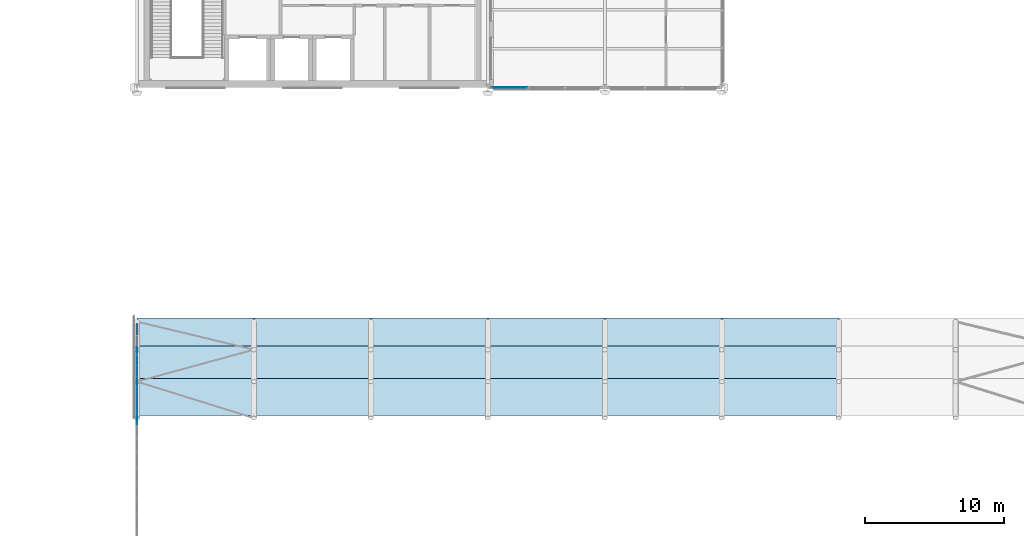
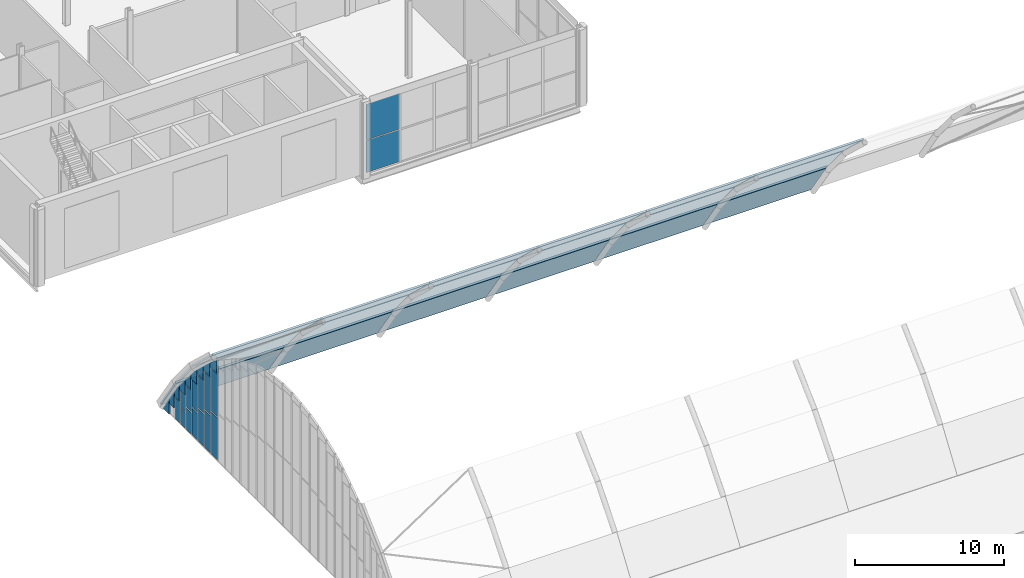
# One storey, part 56 of 77: 24 plates, 18 slabs, 2 elements without a shape of their own.
"""IFC4 building model written with IfcOpenShell, lengths in metres."""

from ifc_helpers import new_model, si_unit, direction, frame, origin, origin_2d, place, context, subcontext, project, spatial, polyline, rectangle, outline, extrude, material, layer, layer_set, type_object, element, aggregate, save


model = new_model("IFC4")

# Units and contexts
model_context = context("Model", 3, precision=1e-05, world=origin(), true_north=direction((0.0, 1.0)))
body_context = subcontext(model_context, "Body", "Model", "MODEL_VIEW")
ifc_project = project(units=[si_unit("LENGTHUNIT", "METRE"), si_unit("AREAUNIT", "SQUARE_METRE"), si_unit("VOLUMEUNIT", "CUBIC_METRE"), si_unit("PLANEANGLEUNIT", "RADIAN"), si_unit("MASSUNIT", "GRAM", prefix="KILO")], contexts=[model_context])

# Site, building, storey
site_placement = place(None, origin())
site = spatial("IfcSite", under=ifc_project, at=site_placement, CompositionType="ELEMENT")
building_placement = place(site_placement, origin())
building = spatial("IfcBuilding", under=site, at=building_placement, Name="Catenary Quay Ferry Terminal", CompositionType="ELEMENT")
storey_placement = place(building_placement, frame((0.0, 0.0, 10.800048828125)))
storey = spatial("IfcBuildingStorey", under=building, at=storey_placement, Name="L02", CompositionType="ELEMENT", Elevation=10.800048828125)

# Curtain wall, plates
ifc_material_1 = material(Name="Aluminium and glass", Category="aluminium")
curtain_wall_type_1 = type_object("IfcCurtainWallType", Name="CWA", PredefinedType="NOTDEFINED", material=ifc_material_1)
curtain_wall_1_placement = place(storey_placement, origin())
curtain_wall_1 = element("IfcCurtainWall", 1, at=curtain_wall_1_placement, inside=storey, type_object=curtain_wall_type_1, Name="Arch departure hall curtain wall CW17", PredefinedType="NOTDEFINED")
ifc_material_2 = material(Name="Glass", Category="glass")
ifc_layer_1 = layer(ifc_material_2, 0.035888671875)
ifc_layer_set_1 = layer_set([ifc_layer_1], Name="PN4")
plate_type_1 = type_object("IfcPlateType", Name="PN4", PredefinedType="CURTAIN_PANEL", material=ifc_layer_set_1)
plate_1_placement = place(storey_placement, frame((25.199951171875, 135.843505859375, 0.099853515625), z_axis=(0.0, 0.0, 1.0), x_axis=(0.0, 1.0, 0.0)))
plate_1 = element("IfcPlate", 2, at=plate_1_placement, type_object=plate_type_1, Name="CW17 panel 26.1", PredefinedType="CURTAIN_PANEL", context=body_context, shape_type="SweptSolid", body=[
    extrude(rectangle(XDim=0.873779296875, YDim=0.035888671875, at=origin_2d()), origin(), (0.0, 0.0, 1.0), 3.46044921875),
])
plate_2_placement = place(storey_placement, frame((25.199951171875, 135.843505859375, 3.660400390625), z_axis=(0.0, 0.0, 1.0), x_axis=(0.0, 1.0, 0.0)))
plate_2 = element("IfcPlate", 3, at=plate_2_placement, type_object=plate_type_1, Name="CW17 panel 26.2", PredefinedType="CURTAIN_PANEL", context=body_context, shape_type="SweptSolid", body=[
    extrude(rectangle(XDim=0.873779296875, YDim=0.035888671875, at=origin_2d()), origin(), (0.0, 0.0, 1.0), 3.46044921875),
])
plate_3_placement = place(storey_placement, frame((25.199951171875, 136.7470703125, 0.099853515625), z_axis=(0.0, 0.0, 1.0), x_axis=(0.0, 1.0, 0.0)))
plate_3 = element("IfcPlate", 4, at=plate_3_placement, type_object=plate_type_1, Name="CW17 panel 27.1", PredefinedType="CURTAIN_PANEL", context=body_context, shape_type="SweptSolid", body=[
    extrude(rectangle(XDim=0.81298828125, YDim=0.035888671875, at=origin_2d()), origin(), (0.0, 0.0, 1.0), 3.05126953125),
])
plate_4_placement = place(storey_placement, frame((25.199951171875, 136.7470703125, 3.251220703125), z_axis=(0.0, 0.0, 1.0), x_axis=(0.0, 1.0, 0.0)))
plate_4 = element("IfcPlate", 5, at=plate_4_placement, type_object=plate_type_1, Name="CW17 panel 27.2", PredefinedType="CURTAIN_PANEL", context=body_context, shape_type="SweptSolid", body=[
    extrude(rectangle(XDim=0.81298828125, YDim=0.035888671875, at=origin_2d()), origin(), (0.0, 0.0, 1.0), 3.05126953125),
])
plate_5_placement = place(storey_placement, frame((25.199951171875, 137.6201171875, 0.099853515625), z_axis=(0.0, 0.0, 1.0), x_axis=(0.0, 1.0, 0.0)))
plate_5 = element("IfcPlate", 6, at=plate_5_placement, type_object=plate_type_1, Name="CW17 panel 28.1", PredefinedType="CURTAIN_PANEL", context=body_context, shape_type="SweptSolid", body=[
    extrude(rectangle(XDim=0.81298828125, YDim=0.035888671875, at=origin_2d()), origin(), (0.0, 0.0, 1.0), 2.64208984375),
])
plate_6_placement = place(storey_placement, frame((25.199951171875, 137.6201171875, 2.842041015625), z_axis=(0.0, 0.0, 1.0), x_axis=(0.0, 1.0, 0.0)))
plate_6 = element("IfcPlate", 7, at=plate_6_placement, type_object=plate_type_1, Name="CW17 panel 28.2", PredefinedType="CURTAIN_PANEL", context=body_context, shape_type="SweptSolid", body=[
    extrude(rectangle(XDim=0.81298828125, YDim=0.035888671875, at=origin_2d()), origin(), (0.0, 0.0, 1.0), 2.64208984375),
])
plate_7_placement = place(storey_placement, frame((25.199951171875, 138.4658203125, 0.10009765625), z_axis=(0.0, 0.0, 1.0), x_axis=(0.0, 1.0, 0.0)))
plate_7 = element("IfcPlate", 8, at=plate_7_placement, type_object=plate_type_1, Name="CW17 panel 29.1", PredefinedType="CURTAIN_PANEL", context=body_context, shape_type="SweptSolid", body=[
    extrude(rectangle(XDim=0.758544921875, YDim=0.035888671875, at=origin_2d()), origin(), (0.0, 0.0, 1.0), 2.207275390625),
])
plate_8_placement = place(storey_placement, frame((25.199951171875, 138.4658203125, 2.4072265625), z_axis=(0.0, 0.0, 1.0), x_axis=(0.0, 1.0, 0.0)))
plate_8 = element("IfcPlate", 9, at=plate_8_placement, type_object=plate_type_1, Name="CW17 panel 29.2", PredefinedType="CURTAIN_PANEL", context=body_context, shape_type="SweptSolid", body=[
    extrude(rectangle(XDim=0.758544921875, YDim=0.035888671875, at=origin_2d()), origin(), (0.0, 0.0, 1.0), 2.207275390625),
])
plate_9_placement = place(storey_placement, frame((25.199951171875, 139.257080078125, 0.099853515625), z_axis=(0.0, 0.0, 1.0), x_axis=(0.0, 1.0, 0.0)))
plate_9 = element("IfcPlate", 10, at=plate_9_placement, type_object=plate_type_1, Name="CW17 panel 30.1", PredefinedType="CURTAIN_PANEL", context=body_context, shape_type="SweptSolid", body=[
    extrude(rectangle(XDim=0.7041015625, YDim=0.035888671875, at=origin_2d()), origin(), (0.0, 0.0, 1.0), 1.74658203125),
])
plate_10_placement = place(storey_placement, frame((25.199951171875, 139.257080078125, 1.9462890625), z_axis=(0.0, 0.0, 1.0), x_axis=(0.0, 1.0, 0.0)))
plate_10 = element("IfcPlate", 11, at=plate_10_placement, type_object=plate_type_1, Name="CW17 panel 30.2", PredefinedType="CURTAIN_PANEL", context=body_context, shape_type="SweptSolid", body=[
    extrude(rectangle(XDim=0.7041015625, YDim=0.035888671875, at=origin_2d()), origin(), (0.0, 0.0, 1.0), 1.74658203125),
])
plate_11_placement = place(storey_placement, frame((25.199951171875, 140.02099609375, 0.10009765625), z_axis=(0.0, 0.0, 1.0), x_axis=(0.0, 1.0, 0.0)))
plate_11 = element("IfcPlate", 12, at=plate_11_placement, type_object=plate_type_1, Name="CW17 panel 31.1", PredefinedType="CURTAIN_PANEL", context=body_context, shape_type="SweptSolid", body=[
    extrude(rectangle(XDim=0.7041015625, YDim=0.035888671875, at=origin_2d()), origin(), (0.0, 0.0, 1.0), 1.285888671875),
])
plate_12_placement = place(storey_placement, frame((25.199951171875, 140.02099609375, 1.48583984375), z_axis=(0.0, 0.0, 1.0), x_axis=(0.0, 1.0, 0.0)))
plate_12 = element("IfcPlate", 13, at=plate_12_placement, type_object=plate_type_1, Name="CW17 panel 31.2", PredefinedType="CURTAIN_PANEL", context=body_context, shape_type="SweptSolid", body=[
    extrude(rectangle(XDim=0.7041015625, YDim=0.035888671875, at=origin_2d()), origin(), (0.0, 0.0, 1.0), 1.285888671875),
])
plate_13_placement = place(storey_placement, frame((25.199951171875, 140.761962890625, 0.099853515625), z_axis=(0.0, 0.0, 1.0), x_axis=(0.0, 1.0, 0.0)))
plate_13 = element("IfcPlate", 14, at=plate_13_placement, type_object=plate_type_1, Name="CW17 panel 32.1", PredefinedType="CURTAIN_PANEL", context=body_context, shape_type="SweptSolid", body=[
    extrude(rectangle(XDim=0.65771484375, YDim=0.035888671875, at=origin_2d()), origin(), (0.0, 0.0, 1.0), 1.7158203125),
])

ifc_material_3 = material(Name="Aluminium and glass", Category="aluminium")
curtain_wall_type_2 = type_object("IfcCurtainWallType", Name="CWW2", PredefinedType="NOTDEFINED", material=ifc_material_3)
curtain_wall_2_placement = place(storey_placement, origin())
curtain_wall_2 = element("IfcCurtainWall", 15, at=curtain_wall_2_placement, inside=storey, type_object=curtain_wall_type_2, Name="Wing curtain wall CW142", PredefinedType="NOTDEFINED")
plate_14_placement = place(storey_placement, frame((51.950927734375, 159.60009765625, 0.06005859375), z_axis=(0.0, 0.0, 1.0), x_axis=(1.0, 0.0, 0.0)))
plate_14 = element("IfcPlate", 16, at=plate_14_placement, type_object=plate_type_1, Name="CW142 panel 1.1", PredefinedType="CURTAIN_PANEL", context=body_context, shape_type="SweptSolid", body=[
    extrude(rectangle(XDim=2.561767578125, YDim=0.035888671875, at=origin_2d()), origin(), (0.0, 0.0, 1.0), 2.610107421875),
])
plate_15_placement = place(storey_placement, frame((51.950927734375, 159.60009765625, 2.72998046875), z_axis=(0.0, 0.0, 1.0), x_axis=(1.0, 0.0, 0.0)))
plate_15 = element("IfcPlate", 17, at=plate_15_placement, type_object=plate_type_1, Name="CW142 panel 1.2", PredefinedType="CURTAIN_PANEL", context=body_context, shape_type="SweptSolid", body=[
    extrude(rectangle(XDim=2.561767578125, YDim=0.035888671875, at=origin_2d()), origin(), (0.0, 0.0, 1.0), 2.909912109375),
])
aggregate(curtain_wall_2, [plate_14, plate_15])

# Plate
ifc_material_4 = material(Name="Ceramic tile facing on insulated backing")
ifc_layer_2 = layer(ifc_material_4, 0.14990234375)
ifc_layer_set_2 = layer_set([ifc_layer_2], Name="PN7")
plate_type_2 = type_object("IfcPlateType", Name="PN7", PredefinedType="CURTAIN_PANEL", material=ifc_layer_set_2)
plate_16_placement = place(storey_placement, frame((25.199951171875, 135.40673828125, 7.220703125), z_axis=(0.0, 0.0, 1.0), x_axis=(0.0, 1.0, 0.0)))
plate_16 = element("IfcPlate", 18, at=plate_16_placement, type_object=plate_type_2, Name="CW17 spandrel panel 29", PredefinedType="CURTAIN_PANEL", context=body_context, shape_type="SweptSolid", body=[
    extrude(outline(polyline([(0.0, 0.0), (0.873779296875, 0.0), (0.873779296875, 0.3681640625), (0.0, 1.06201171875), (0.0, 0.0)])), frame((0.0, 0.074951171875, 0.0), z_axis=(0.0, -1.0, 0.0), x_axis=(1.0, 0.0, 0.0)), (0.0, 0.0, 1.0), 0.14990234375),
])

plate_17_placement = place(storey_placement, frame((25.199951171875, 136.340576171875, 6.40234375), z_axis=(0.0, 0.0, 1.0), x_axis=(0.0, 1.0, 0.0)))
plate_17 = element("IfcPlate", 19, at=plate_17_placement, type_object=plate_type_2, Name="CW17 spandrel panel 30", PredefinedType="CURTAIN_PANEL", context=body_context, shape_type="SweptSolid", body=[
    extrude(outline(polyline([(0.0, 0.0), (0.81298828125, 0.0), (0.81298828125, 0.3681640625), (0.0, 1.13037109375), (0.0, 0.0)])), frame((0.0, 0.074951171875, 0.0), z_axis=(0.0, -1.0, 0.0), x_axis=(1.0, 0.0, 0.0)), (0.0, 0.0, 1.0), 0.14990234375),
])

plate_18_placement = place(storey_placement, frame((25.199951171875, 137.21337890625, 5.584228515625), z_axis=(0.0, 0.0, 1.0), x_axis=(0.0, 1.0, 0.0)))
plate_18 = element("IfcPlate", 20, at=plate_18_placement, type_object=plate_type_2, Name="CW17 spandrel panel 31", PredefinedType="CURTAIN_PANEL", context=body_context, shape_type="SweptSolid", body=[
    extrude(outline(polyline([(0.0, 0.0), (0.81298828125, 0.0), (0.81298828125, 0.367919921875), (0.0, 1.130126953125), (0.0, 0.0)])), frame((0.0, 0.074951171875, 0.0), z_axis=(0.0, -1.0, 0.0), x_axis=(1.0, 0.0, 0.0)), (0.0, 0.0, 1.0), 0.14990234375),
])

plate_19_placement = place(storey_placement, frame((25.199951171875, 138.08642578125, 4.71435546875), z_axis=(0.0, 0.0, 1.0), x_axis=(0.0, 1.0, 0.0)))
plate_19 = element("IfcPlate", 21, at=plate_19_placement, type_object=plate_type_2, Name="CW17 spandrel panel 32", PredefinedType="CURTAIN_PANEL", context=body_context, shape_type="SweptSolid", body=[
    extrude(outline(polyline([(0.0, 0.0), (0.758544921875, 0.0), (0.758544921875, 0.376220703125), (0.0, 1.181640625), (0.0, 0.0)])), frame((0.0, 0.074951171875, 0.0), z_axis=(0.0, -1.0, 0.0), x_axis=(1.0, 0.0, 0.0)), (0.0, 0.0, 1.0), 0.14990234375),
])

plate_20_placement = place(storey_placement, frame((25.199951171875, 138.905029296875, 3.79296875), z_axis=(0.0, 0.0, 1.0), x_axis=(0.0, 1.0, 0.0)))
plate_20 = element("IfcPlate", 22, at=plate_20_placement, type_object=plate_type_2, Name="CW17 spandrel panel 33", PredefinedType="CURTAIN_PANEL", context=body_context, shape_type="SweptSolid", body=[
    extrude(outline(polyline([(0.0, 0.0), (0.7041015625, 0.0), (0.7041015625, 0.376220703125), (0.0, 1.22509765625), (0.0, 0.0)])), frame((0.0, 0.074951171875, 0.0), z_axis=(0.0, -1.0, 0.0), x_axis=(1.0, 0.0, 0.0)), (0.0, 0.0, 1.0), 0.14990234375),
])

plate_21_placement = place(storey_placement, frame((25.199951171875, 139.6689453125, 2.87158203125), z_axis=(0.0, 0.0, 1.0), x_axis=(0.0, 1.0, 0.0)))
plate_21 = element("IfcPlate", 23, at=plate_21_placement, type_object=plate_type_2, Name="CW17 spandrel panel 34", PredefinedType="CURTAIN_PANEL", context=body_context, shape_type="SweptSolid", body=[
    extrude(outline(polyline([(0.0, 0.0), (0.7041015625, 0.0), (0.7041015625, 0.376220703125), (0.0, 1.22509765625), (0.0, 0.0)])), frame((0.0, 0.074951171875, 0.0), z_axis=(0.0, -1.0, 0.0), x_axis=(1.0, 0.0, 0.0)), (0.0, 0.0, 1.0), 0.14990234375),
])

plate_22_placement = place(storey_placement, frame((25.199951171875, 140.43310546875, 1.915771484375), z_axis=(0.0, 0.0, 1.0), x_axis=(0.0, 1.0, 0.0)))
plate_22 = element("IfcPlate", 24, at=plate_22_placement, type_object=plate_type_2, Name="CW17 spandrel panel 35", PredefinedType="CURTAIN_PANEL", context=body_context, shape_type="SweptSolid", body=[
    extrude(outline(polyline([(0.0, 0.0), (0.65771484375, 0.0), (0.65771484375, 0.38427734375), (0.0, 1.259765625), (0.0, 0.0)])), frame((0.0, 0.074951171875, 0.0), z_axis=(0.0, -1.0, 0.0), x_axis=(1.0, 0.0, 0.0)), (0.0, 0.0, 1.0), 0.14990234375),
])

plate_23_placement = place(storey_placement, frame((25.199951171875, 141.15087890625, 0.925537109375), z_axis=(0.0, 0.0, 1.0), x_axis=(0.0, 1.0, 0.0)))
plate_23 = element("IfcPlate", 25, at=plate_23_placement, type_object=plate_type_2, Name="CW17 spandrel panel 36", PredefinedType="CURTAIN_PANEL", context=body_context, shape_type="SweptSolid", body=[
    extrude(outline(polyline([(0.0, 0.0), (0.611572265625, 0.0), (0.611572265625, 0.384033203125), (0.0, 1.2861328125), (0.0, 0.0)])), frame((0.0, 0.074951171875, 0.0), z_axis=(0.0, -1.0, 0.0), x_axis=(1.0, 0.0, 0.0)), (0.0, 0.0, 1.0), 0.14990234375),
])

plate_24_placement = place(storey_placement, frame((25.199951171875, 141.822509765625, 0.0), z_axis=(0.0, 0.0, 1.0), x_axis=(0.0, 1.0, 0.0)))
plate_24 = element("IfcPlate", 26, at=plate_24_placement, type_object=plate_type_2, Name="CW17 spandrel panel 37", PredefinedType="CURTAIN_PANEL", context=body_context, shape_type="SweptSolid", body=[
    extrude(outline(polyline([(0.0, 0.0), (0.9775390625, 0.0), (0.9775390625, -0.219970703125), (0.0, 1.22119140625), (0.0, 0.0)])), frame((0.0, 0.074951171875, 0.0), z_axis=(0.0, -1.0, 0.0), x_axis=(1.0, 0.0, 0.0)), (0.0, 0.0, 1.0), 0.14990234375),
])

aggregate(curtain_wall_1, [plate_1, plate_2, plate_16, plate_3, plate_4, plate_17, plate_5, plate_6, plate_18, plate_7, plate_8, plate_19, plate_9, plate_10, plate_20, plate_11, plate_12, plate_21, plate_13, plate_22, plate_23, plate_24])

# Slabs
ifc_material_5 = material(Name="Concrete C35/45", Category="concrete")
ifc_layer_3 = layer(ifc_material_5, 0.1201171875)
ifc_layer_set_3 = layer_set([ifc_layer_3], Name="Thin concrete shell roof slab C35/45 120")
slab_type = type_object("IfcSlabType", Name="Thin concrete shell roof slab C35/45 120", PredefinedType="ROOF", material=ifc_layer_set_3)
slab_1_placement = place(storey_placement, frame((25.199951171875, 136.07568359375, 8.44384765625), z_axis=(0.0, 0.683912096655, 0.729564420767), x_axis=(1.0, 0.0, 0.0)))
element("IfcSlab", 27, at=slab_1_placement, inside=storey, type_object=slab_type, Name="Roof shell panel VD-01-10", PredefinedType="ROOF", context=body_context, shape_type="SweptSolid", body=[
    extrude(outline(polyline([(0.0, 0.0), (8.400146484375, 0.0), (8.400146484375, 3.636520773705697), (0.0, 3.636520773705697), (0.0, 0.0)])), origin(), (0.0, 0.683912096655, -0.729564420767), 0.16455078125),
])
slab_2_placement = place(storey_placement, frame((25.199951171875, 138.728759765625, 5.956787109375), z_axis=(0.0, 0.769753119494, 0.638341707105), x_axis=(1.0, 0.0, 0.0)))
element("IfcSlab", 28, at=slab_2_placement, inside=storey, type_object=slab_type, Name="Roof shell panel VD-01-11", PredefinedType="ROOF", context=body_context, shape_type="SweptSolid", body=[
    extrude(outline(polyline([(0.0, 0.0), (8.400146484375, 0.0), (8.400146484375, 3.626492489028446), (0.0, 3.626492489028446), (0.0, 0.0)])), origin(), (0.0, 0.769753119494, -0.638341707105), 0.18798828125),
])
slab_3_placement = place(storey_placement, frame((25.199951171875, 141.043701171875, 3.165283203125), z_axis=(0.0, 0.827617329407, 0.561292754332), x_axis=(1.0, 0.0, 0.0)))
element("IfcSlab", 29, at=slab_3_placement, inside=storey, type_object=slab_type, Name="Roof shell panel VD-01-12", PredefinedType="ROOF", context=body_context, shape_type="SweptSolid", body=[
    extrude(outline(polyline([(0.0, 0.0), (8.400146484375, 0.0), (8.400146484375, 3.605394199381717), (0.0, 3.605394199381717), (0.0, 0.0)])), origin(), (0.0, 0.827617329407, -0.561292754332), 0.2138671875),
])
slab_4_placement = place(storey_placement, frame((33.60009765625, 136.07568359375, 8.44384765625), z_axis=(0.0, 0.683912096655, 0.729564420767), x_axis=(1.0, 0.0, 0.0)))
element("IfcSlab", 30, at=slab_4_placement, inside=storey, type_object=slab_type, Name="Roof shell panel VD-02-10", PredefinedType="ROOF", context=body_context, shape_type="SweptSolid", body=[
    extrude(outline(polyline([(0.0, 0.0), (8.39990234375, 0.0), (8.39990234375, 3.636520773705697), (0.0, 3.636520773705697), (0.0, 0.0)])), origin(), (0.0, 0.683912096655, -0.729564420767), 0.16455078125),
])
slab_5_placement = place(storey_placement, frame((33.60009765625, 138.728759765625, 5.956787109375), z_axis=(0.0, 0.769753119494, 0.638341707105), x_axis=(1.0, 0.0, 0.0)))
element("IfcSlab", 31, at=slab_5_placement, inside=storey, type_object=slab_type, Name="Roof shell panel VD-02-11", PredefinedType="ROOF", context=body_context, shape_type="SweptSolid", body=[
    extrude(outline(polyline([(0.0, 0.0), (8.39990234375, 0.0), (8.39990234375, 3.626492489028447), (0.0, 3.626492489028447), (0.0, 0.0)])), origin(), (0.0, 0.769753119494, -0.638341707105), 0.18798828125),
])
slab_6_placement = place(storey_placement, frame((33.60009765625, 141.043701171875, 3.165283203125), z_axis=(0.0, 0.827617329407, 0.561292754332), x_axis=(1.0, 0.0, 0.0)))
element("IfcSlab", 32, at=slab_6_placement, inside=storey, type_object=slab_type, Name="Roof shell panel VD-02-12", PredefinedType="ROOF", context=body_context, shape_type="SweptSolid", body=[
    extrude(outline(polyline([(0.0, 0.0), (8.39990234375, 0.0), (8.39990234375, 3.605394199381718), (0.0, 3.605394199381718), (0.0, 0.0)])), origin(), (0.0, 0.827617329407, -0.561292754332), 0.2138671875),
])
slab_7_placement = place(storey_placement, frame((42.0, 136.07568359375, 8.44384765625), z_axis=(0.0, 0.683912096655, 0.729564420767), x_axis=(1.0, 0.0, 0.0)))
element("IfcSlab", 33, at=slab_7_placement, inside=storey, type_object=slab_type, Name="Roof shell panel VD-03-10", PredefinedType="ROOF", context=body_context, shape_type="SweptSolid", body=[
    extrude(outline(polyline([(0.0, 0.0), (8.39990234375, 0.0), (8.39990234375, 3.636520773705697), (0.0, 3.636520773705697), (0.0, 0.0)])), origin(), (0.0, 0.683912096655, -0.729564420767), 0.16455078125),
])
slab_8_placement = place(storey_placement, frame((42.0, 138.728759765625, 5.956787109375), z_axis=(0.0, 0.769753119494, 0.638341707105), x_axis=(1.0, 0.0, 0.0)))
element("IfcSlab", 34, at=slab_8_placement, inside=storey, type_object=slab_type, Name="Roof shell panel VD-03-11", PredefinedType="ROOF", context=body_context, shape_type="SweptSolid", body=[
    extrude(outline(polyline([(0.0, 0.0), (8.39990234375, 0.0), (8.39990234375, 3.626492489028447), (0.0, 3.626492489028447), (0.0, 0.0)])), origin(), (0.0, 0.769753119494, -0.638341707105), 0.18798828125),
])
slab_9_placement = place(storey_placement, frame((42.0, 141.043701171875, 3.165283203125), z_axis=(0.0, 0.827617329407, 0.561292754332), x_axis=(1.0, 0.0, 0.0)))
element("IfcSlab", 35, at=slab_9_placement, inside=storey, type_object=slab_type, Name="Roof shell panel VD-03-12", PredefinedType="ROOF", context=body_context, shape_type="SweptSolid", body=[
    extrude(outline(polyline([(0.0, 0.0), (8.39990234375, 0.0), (8.39990234375, 3.605394199381718), (0.0, 3.605394199381718), (0.0, 0.0)])), origin(), (0.0, 0.827617329407, -0.561292754332), 0.2138671875),
])
slab_10_placement = place(storey_placement, frame((50.39990234375, 136.07568359375, 8.44384765625), z_axis=(0.0, 0.683912096655, 0.729564420767), x_axis=(1.0, 0.0, 0.0)))
element("IfcSlab", 36, at=slab_10_placement, inside=storey, type_object=slab_type, Name="Roof shell panel VD-04-10", PredefinedType="ROOF", context=body_context, shape_type="SweptSolid", body=[
    extrude(outline(polyline([(0.0, 0.0), (8.400146484375, 0.0), (8.400146484375, 3.636520773705697), (0.0, 3.636520773705697), (0.0, 0.0)])), origin(), (0.0, 0.683912096655, -0.729564420767), 0.16455078125),
])
slab_11_placement = place(storey_placement, frame((50.39990234375, 138.728759765625, 5.956787109375), z_axis=(0.0, 0.769753119494, 0.638341707105), x_axis=(1.0, 0.0, 0.0)))
element("IfcSlab", 37, at=slab_11_placement, inside=storey, type_object=slab_type, Name="Roof shell panel VD-04-11", PredefinedType="ROOF", context=body_context, shape_type="SweptSolid", body=[
    extrude(outline(polyline([(0.0, 0.0), (8.400146484375, 0.0), (8.400146484375, 3.626492489028446), (0.0, 3.626492489028446), (0.0, 0.0)])), origin(), (0.0, 0.769753119494, -0.638341707105), 0.18798828125),
])
slab_12_placement = place(storey_placement, frame((50.39990234375, 141.043701171875, 3.165283203125), z_axis=(0.0, 0.827617329407, 0.561292754332), x_axis=(1.0, 0.0, 0.0)))
element("IfcSlab", 38, at=slab_12_placement, inside=storey, type_object=slab_type, Name="Roof shell panel VD-04-12", PredefinedType="ROOF", context=body_context, shape_type="SweptSolid", body=[
    extrude(outline(polyline([(0.0, 0.0), (8.400146484375, 0.0), (8.400146484375, 3.605394199381717), (0.0, 3.605394199381717), (0.0, 0.0)])), origin(), (0.0, 0.827617329407, -0.561292754332), 0.2138671875),
])
slab_13_placement = place(storey_placement, frame((58.800048828125, 136.07568359375, 8.44384765625), z_axis=(0.0, 0.683912096655, 0.729564420767), x_axis=(1.0, 0.0, 0.0)))
element("IfcSlab", 39, at=slab_13_placement, inside=storey, type_object=slab_type, Name="Roof shell panel VD-05-10", PredefinedType="ROOF", context=body_context, shape_type="SweptSolid", body=[
    extrude(outline(polyline([(0.0, 0.0), (8.39990234375, 0.0), (8.39990234375, 3.636520773705697), (0.0, 3.636520773705697), (0.0, 0.0)])), origin(), (0.0, 0.683912096655, -0.729564420767), 0.16455078125),
])
slab_14_placement = place(storey_placement, frame((58.800048828125, 138.728759765625, 5.956787109375), z_axis=(0.0, 0.769753119494, 0.638341707105), x_axis=(1.0, 0.0, 0.0)))
element("IfcSlab", 40, at=slab_14_placement, inside=storey, type_object=slab_type, Name="Roof shell panel VD-05-11", PredefinedType="ROOF", context=body_context, shape_type="SweptSolid", body=[
    extrude(outline(polyline([(0.0, 0.0), (8.39990234375, 0.0), (8.39990234375, 3.626492489028447), (0.0, 3.626492489028447), (0.0, 0.0)])), origin(), (0.0, 0.769753119494, -0.638341707105), 0.18798828125),
])
slab_15_placement = place(storey_placement, frame((58.800048828125, 141.043701171875, 3.165283203125), z_axis=(0.0, 0.827617329407, 0.561292754332), x_axis=(1.0, 0.0, 0.0)))
element("IfcSlab", 41, at=slab_15_placement, inside=storey, type_object=slab_type, Name="Roof shell panel VD-05-12", PredefinedType="ROOF", context=body_context, shape_type="SweptSolid", body=[
    extrude(outline(polyline([(0.0, 0.0), (8.39990234375, 0.0), (8.39990234375, 3.605394199381718), (0.0, 3.605394199381718), (0.0, 0.0)])), origin(), (0.0, 0.827617329407, -0.561292754332), 0.2138671875),
])
slab_16_placement = place(storey_placement, frame((67.199951171875, 136.07568359375, 8.44384765625), z_axis=(0.0, 0.683912096655, 0.729564420767), x_axis=(1.0, 0.0, 0.0)))
element("IfcSlab", 42, at=slab_16_placement, inside=storey, type_object=slab_type, Name="Roof shell panel VD-06-10", PredefinedType="ROOF", context=body_context, shape_type="SweptSolid", body=[
    extrude(outline(polyline([(0.0, 0.0), (8.400146484375, 0.0), (8.400146484375, 3.636520773705697), (0.0, 3.636520773705697), (0.0, 0.0)])), origin(), (0.0, 0.683912096655, -0.729564420767), 0.16455078125),
])
slab_17_placement = place(storey_placement, frame((67.199951171875, 138.728759765625, 5.956787109375), z_axis=(0.0, 0.769753119494, 0.638341707105), x_axis=(1.0, 0.0, 0.0)))
element("IfcSlab", 43, at=slab_17_placement, inside=storey, type_object=slab_type, Name="Roof shell panel VD-06-11", PredefinedType="ROOF", context=body_context, shape_type="SweptSolid", body=[
    extrude(outline(polyline([(0.0, 0.0), (8.400146484375, 0.0), (8.400146484375, 3.626492489028446), (0.0, 3.626492489028446), (0.0, 0.0)])), origin(), (0.0, 0.769753119494, -0.638341707105), 0.18798828125),
])
slab_18_placement = place(storey_placement, frame((67.199951171875, 141.043701171875, 3.165283203125), z_axis=(0.0, 0.827617329407, 0.561292754332), x_axis=(1.0, 0.0, 0.0)))
element("IfcSlab", 44, at=slab_18_placement, inside=storey, type_object=slab_type, Name="Roof shell panel VD-06-12", PredefinedType="ROOF", context=body_context, shape_type="SweptSolid", body=[
    extrude(outline(polyline([(0.0, 0.0), (8.400146484375, 0.0), (8.400146484375, 3.605394199381717), (0.0, 3.605394199381717), (0.0, 0.0)])), origin(), (0.0, 0.827617329407, -0.561292754332), 0.2138671875),
])

save(model, "model.ifc")
